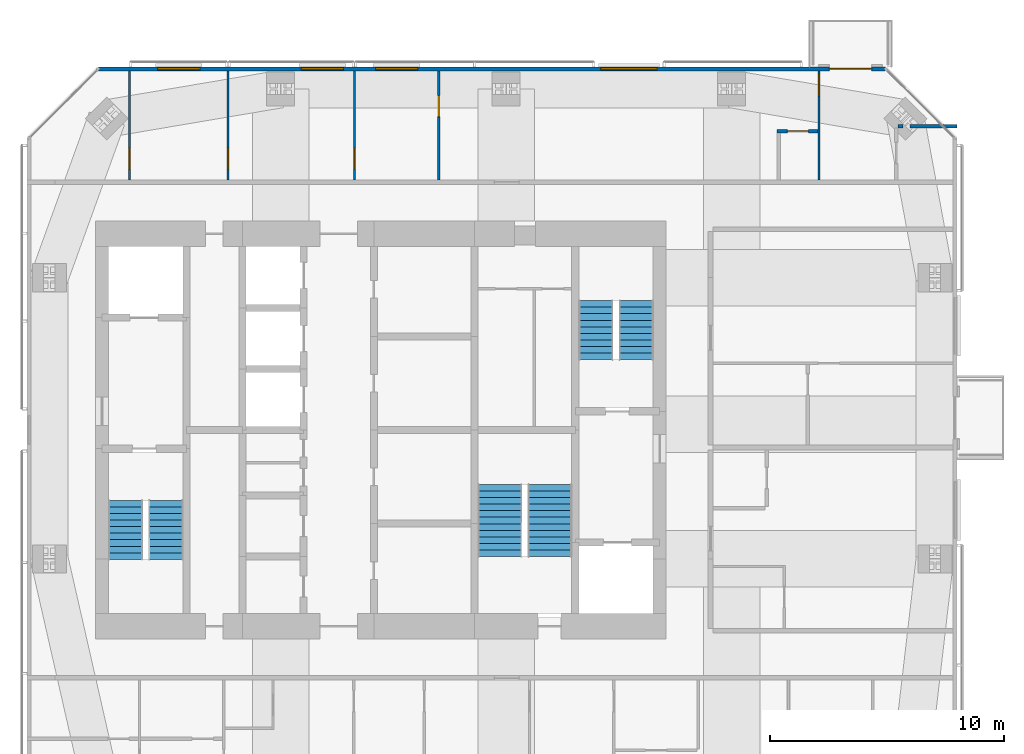
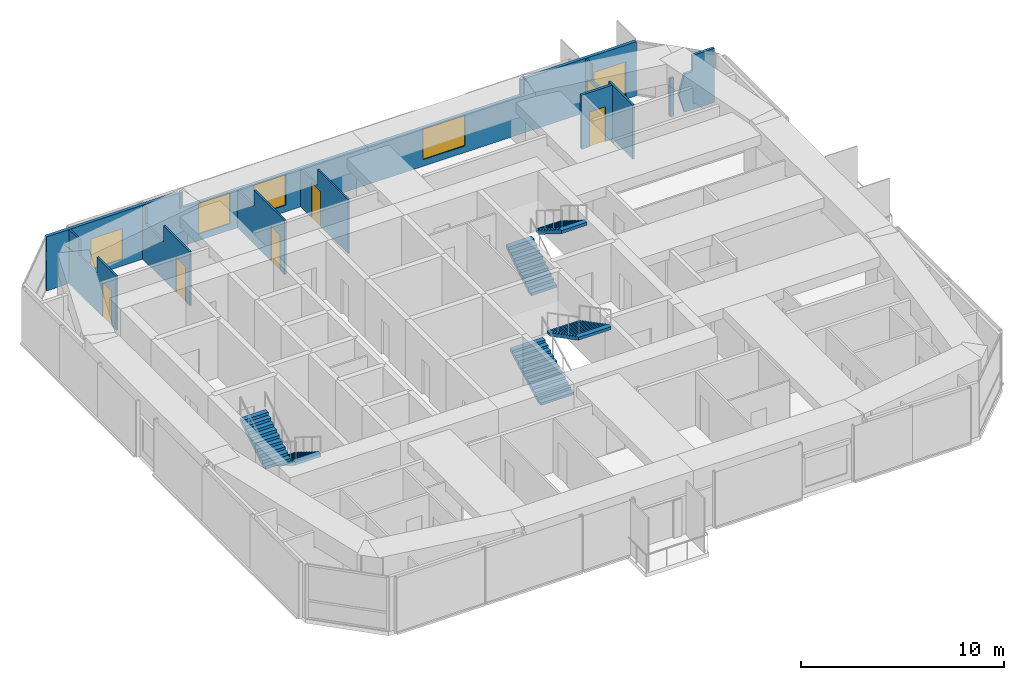
# One storey, part 17 of 18: 9 walls, 7 doors, 6 stair flights, 4 windows, 11 openings, 3 elements without a shape of their own.
"""IFC4 building model written with IfcOpenShell, lengths in metres."""

import ifcopenshell
import ifcopenshell.guid

model = None  # the IFC model being written
_history = None  # IfcOwnerHistory: only IFC2X3 demands one
_inside = {}  # id of a spatial element -> (the spatial element, [elements in it])
_under = {}  # id of a project, library or spatial element -> (it, [spatial elements below it])
_declared = {}  # id of a project -> (the project, [libraries it declares])
_typed = {}  # id of a type object -> (the type object, [elements of that type])
_made_of = {}  # id of a material, layer set ... -> (it, [elements and type objects made of it])


def new_model(schema):
    """Start an empty IFC model of exactly this schema.

    Asked for "IFC4X3", IfcOpenShell would pick the latest addendum, in which some entities
    have other attributes; the version numbers below select the first issue.
    IFC2X3 requires an IfcOwnerHistory on every rooted entity: one is made here for all.
    """
    global model, _history
    if schema == "IFC4X3":
        model = ifcopenshell.file(schema_version=(4, 3, 0, 0))
    else:
        model = ifcopenshell.file(schema=schema)
    _inside.clear()
    _under.clear()
    _declared.clear()
    _typed.clear()
    _made_of.clear()
    _history = None
    if model.schema == "IFC2X3":
        org = make("IfcOrganization", Name="unknown")
        user = make(
            "IfcPersonAndOrganization",
            ThePerson=make("IfcPerson", FamilyName="unknown"),
            TheOrganization=org,
        )
        app = make(
            "IfcApplication",
            ApplicationDeveloper=org,
            Version="unknown",
            ApplicationFullName="unknown",
            ApplicationIdentifier="unknown",
        )
        _history = make(
            "IfcOwnerHistory",
            OwningUser=user,
            OwningApplication=app,
            ChangeAction="ADDED",
            CreationDate=0,
        )
    return model


def make(cls, **values):
    """One entity of the class cls with the attributes given. An attribute that is None is left unset."""
    return model.create_entity(
        cls, **{name: value for name, value in values.items() if value is not None}
    )


def rooted(cls, **values):
    """An entity with a GlobalId (a new one), such as an element, a storey or a relation."""
    return make(cls, GlobalId=ifcopenshell.guid.new(), OwnerHistory=_history, **values)


def si_unit(unit_type, name, prefix=None):
    """IfcSIUnit, for example si_unit("LENGTHUNIT", "METRE", prefix="MILLI")."""
    return make("IfcSIUnit", UnitType=unit_type, Prefix=prefix, Name=name)


def assignment(units):
    """IfcUnitAssignment: the units of a project."""
    return None if units is None else make("IfcUnitAssignment", Units=units)


def point(xyz):
    """IfcCartesianPoint."""
    return None if xyz is None else make("IfcCartesianPoint", Coordinates=xyz)


def direction(xyz):
    """IfcDirection."""
    return None if xyz is None else make("IfcDirection", DirectionRatios=xyz)


def frame(location, z_axis=None, x_axis=None):
    """IfcAxis2Placement3D, a coordinate frame: its origin and axes. An axis left out is left unset."""
    return make(
        "IfcAxis2Placement3D",
        Location=point(location),
        Axis=direction(z_axis),
        RefDirection=direction(x_axis),
    )


def frame_2d(location, x_axis=None):
    """IfcAxis2Placement2D, a coordinate frame in the plane: its origin and x axis."""
    return make(
        "IfcAxis2Placement2D", Location=point(location), RefDirection=direction(x_axis)
    )


def origin():
    """The frame at (0, 0, 0) with its axes left unset."""
    return frame((0.0, 0.0, 0.0))


def place(relative_to, where):
    """IfcLocalPlacement: puts the frame where relative to a parent placement (None: the world)."""
    return make(
        "IfcLocalPlacement", PlacementRelTo=relative_to, RelativePlacement=where
    )


def context(
    kind, dimensions, precision=None, world=None, true_north=None, identifier=None
):
    """IfcGeometricRepresentationContext, for example the 3D "Model" context."""
    return make(
        "IfcGeometricRepresentationContext",
        ContextIdentifier=identifier,
        ContextType=kind,
        CoordinateSpaceDimension=dimensions,
        Precision=precision,
        WorldCoordinateSystem=world,
        TrueNorth=true_north,
    )


def subcontext(parent, identifier, kind, view, scale=None):
    """IfcGeometricRepresentationSubContext, for example "Body" below "Model"."""
    return make(
        "IfcGeometricRepresentationSubContext",
        ContextIdentifier=identifier,
        ContextType=kind,
        ParentContext=parent,
        TargetScale=scale,
        TargetView=view,
    )


def project(units=None, contexts=None):
    """IfcProject with its units and contexts."""
    return rooted(
        "IfcProject",
        Name="project",
        RepresentationContexts=contexts,
        UnitsInContext=assignment(units),
    )


def spatial(cls, under=None, at=None, **own):
    """A site, building, storey or space (cls), placed at a placement, below another one or the project."""
    s = rooted(cls, ObjectPlacement=at, **own)
    if under is not None:
        _under.setdefault(under.id(), (under, []))[1].append(s)
    return s


def polyline(points):
    """IfcPolyline through the points."""
    return make("IfcPolyline", Points=[point(p) for p in points])


def profile(cls, at=None, kind="AREA", **sizes):
    """A parametric profile (cls). Its sizes go by their IFC names, for example OverallWidth=200.0."""
    return make(cls, ProfileType=kind, Position=at, **sizes)


def rectangle(**sizes):
    """IfcRectangleProfileDef."""
    return profile("IfcRectangleProfileDef", **sizes)


def outline(outer, holes=None, kind="AREA"):
    """IfcArbitraryClosedProfileDef: a profile drawn as a closed curve; with holes, ...WithVoids."""
    if holes is None:
        return make("IfcArbitraryClosedProfileDef", ProfileType=kind, OuterCurve=outer)
    return make(
        "IfcArbitraryProfileDefWithVoids",
        ProfileType=kind,
        OuterCurve=outer,
        InnerCurves=holes,
    )


def extrude(swept, where, along, depth):
    """IfcExtrudedAreaSolid: the profile swept, set in the frame where, extruded along a direction by depth."""
    return make(
        "IfcExtrudedAreaSolid",
        SweptArea=swept,
        Position=where,
        ExtrudedDirection=direction(along),
        Depth=depth,
    )


def shape(context_of_items, identifier, shape_type, items):
    """IfcShapeRepresentation: the items that make up one representation, for example the "Body"."""
    return make(
        "IfcShapeRepresentation",
        ContextOfItems=context_of_items,
        RepresentationIdentifier=identifier,
        RepresentationType=shape_type,
        Items=items,
    )


def material(Name=None, Category=None):
    """IfcMaterial."""
    return make("IfcMaterial", Name=Name, Category=Category)


def constituent(of_material, Name=None, Category=None, fraction=None):
    """IfcMaterialConstituent: one of the materials an element consists of."""
    return make(
        "IfcMaterialConstituent",
        Name=Name,
        Material=of_material,
        Fraction=fraction,
        Category=Category,
    )


def constituent_set(constituents=None, Name=None):
    """IfcMaterialConstituentSet."""
    return make(
        "IfcMaterialConstituentSet", Name=Name, MaterialConstituents=constituents
    )


def made_of(thing, what):
    """Note that an element or type object is made of a material, layer set ...; save() writes the relation."""
    if what is not None:
        _made_of.setdefault(what.id(), (what, []))[1].append(thing)
    return thing


def type_object(cls, material=None, **own):
    """A type object (cls), such as IfcWallType, which elements share."""
    return made_of(rooted(cls, **own), material)


def element(
    cls,
    number,
    at=None,
    inside=None,
    cuts=None,
    type_object=None,
    material=None,
    context=None,
    identifier="Body",
    shape_type=None,
    held_by="IfcProductDefinitionShape",
    body=None,
    shapes=None,
    **own,
):
    """One element of the class cls, such as IfcWall. Its Tag is "e" and its number.

    at: its placement. inside: the storey or other place that contains it. cuts: it is an
    opening in that element (IfcRelVoidsElement). A single representation is given by context,
    identifier, shape_type and body (its items); several are given by shapes. held_by: the class
    of the entity that holds the representations. save() writes the other relations.
    """
    e = rooted(cls, Tag="e%d" % number, ObjectPlacement=at, **own)
    if body is not None:
        shapes = [shape(context, identifier, shape_type, body)]
    if shapes is not None:
        e.Representation = make(held_by, Representations=shapes)
    if inside is not None:
        _inside.setdefault(inside.id(), (inside, []))[1].append(e)
    if cuts is not None:
        rooted(
            "IfcRelVoidsElement", RelatingBuildingElement=cuts, RelatedOpeningElement=e
        )
    if type_object is not None:
        _typed.setdefault(type_object.id(), (type_object, []))[1].append(e)
    return made_of(e, material)


def fill(opening, filler):
    """IfcRelFillsElement: the door or window that sits in an opening."""
    return rooted(
        "IfcRelFillsElement",
        RelatingOpeningElement=opening,
        RelatedBuildingElement=filler,
    )


def aggregate(whole, parts):
    """IfcRelAggregates: a whole, such as a stair, and the parts it consists of."""
    return rooted("IfcRelAggregates", RelatingObject=whole, RelatedObjects=parts)


def save(model, path):
    """Write the relations noted so far, then the file.

    IfcRelAggregates (storeys below a building ...), IfcRelContainedInSpatialStructure (elements
    in a storey), IfcRelDefinesByType, IfcRelAssociatesMaterial and IfcRelDeclares: one each for
    every whole, place, type object, material and project.
    """
    for whole, parts in _under.values():
        aggregate(whole, parts)
    for where, things in _inside.values():
        rooted(
            "IfcRelContainedInSpatialStructure",
            RelatedElements=things,
            RelatingStructure=where,
        )
    for kind, things in _typed.values():
        rooted("IfcRelDefinesByType", RelatedObjects=things, RelatingType=kind)
    for what, things in _made_of.values():
        rooted("IfcRelAssociatesMaterial", RelatedObjects=things, RelatingMaterial=what)
    for by, libraries in _declared.values():
        rooted("IfcRelDeclares", RelatingContext=by, RelatedDefinitions=libraries)
    model.write(path)


model = new_model("IFC4")

# Units and contexts
model_context = context("Model", 3, precision=1e-05, world=origin(), true_north=direction((0.0, 1.0)))
body_context = subcontext(model_context, "Body", "Model", "MODEL_VIEW")
ifc_project = project(units=[si_unit("LENGTHUNIT", "METRE"), si_unit("AREAUNIT", "SQUARE_METRE"), si_unit("VOLUMEUNIT", "CUBIC_METRE"), si_unit("PLANEANGLEUNIT", "RADIAN"), si_unit("MASSUNIT", "GRAM", prefix="KILO")], contexts=[model_context])

# Site, building, storey
site_placement = place(None, origin())
site = spatial("IfcSite", under=ifc_project, at=site_placement, CompositionType="ELEMENT")
building_placement = place(site_placement, origin())
building = spatial("IfcBuilding", under=site, at=building_placement, Name="Jalousie Tower", CompositionType="ELEMENT")
storey_placement = place(building_placement, frame((0.0, 0.0, 249.449951171875)))
storey = spatial("IfcBuildingStorey", under=building, at=storey_placement, Name="L68", CompositionType="ELEMENT", Elevation=249.449951171875)

# Walls
ifc_material_1 = material(Name="Concrete block ASTM C90", Category="concrete")
ifc_constituent_1 = constituent(ifc_material_1, Name="Body")
ifc_material_2 = material(Name="Render")
ifc_constituent_2 = constituent(ifc_material_2, Name="Finish")
ifc_constituent_set_1 = constituent_set(constituents=[ifc_constituent_1, ifc_constituent_2])
wall_type_1 = type_object("IfcWallType", Name="BATHROOM WALL 150", PredefinedType="PLUMBINGWALL", material=ifc_constituent_set_1)
wall_1_placement = place(storey_placement, frame((53.97509765625, 31.47509765625, 0.0), z_axis=(0.0, 0.0, 1.0), x_axis=(1.0, 0.0, 0.0)))
element("IfcWall", 1, at=wall_1_placement, inside=storey, type_object=wall_type_1, Name="Bathroom Wall 150 L68-A", PredefinedType="PLUMBINGWALL", context=body_context, shape_type="SweptSolid", body=[
    extrude(rectangle(XDim=0.216796875, YDim=0.14990234375, at=frame_2d((0.1083984375, 0.0))), origin(), (0.0, 0.0, 1.0), 2.300048828125),
])
wall_2_placement = place(storey_placement, frame((54.47802734375, 31.47509765625, 0.0), z_axis=(0.0, 0.0, 1.0), x_axis=(1.0, 0.0, 0.0)))
element("IfcWall", 2, at=wall_2_placement, inside=storey, type_object=wall_type_1, Name="Bathroom Wall 150 L68-B", PredefinedType="PLUMBINGWALL", context=body_context, shape_type="SweptSolid", body=[
    extrude(outline(polyline([(0.773681640625, 3.260009765625), (0.773681640625, 2.300048828125), (0.3251953125, 2.300048828125), (0.0, 1.150146484375), (0.3251953125, 0.0), (2.02197265625, 0.0), (2.02197265625, 3.260009765625), (0.773681640625, 3.260009765625)])), frame((0.0, 0.074951171875, 0.0), z_axis=(0.0, -1.0, 0.0), x_axis=(1.0, 0.0, 0.0)), (0.0, 0.0, 1.0), 0.14990234375),
])

# Wall, opening, door
wall_3_placement = place(storey_placement, frame((50.552490234375, 31.25, 0.0), z_axis=(0.0, 0.0, 1.0), x_axis=(-1.0, 0.0, 0.0)))
wall_3 = element("IfcWall", 3, at=wall_3_placement, inside=storey, type_object=wall_type_1, Name="Bathroom Wall 150 L68", PredefinedType="PLUMBINGWALL", context=body_context, shape_type="SweptSolid", body=[
    extrude(rectangle(XDim=1.75, YDim=0.14990234375, at=frame_2d((0.875, 0.0))), origin(), (0.0, 0.0, 1.0), 3.260009765625),
])
opening_1_placement = place(wall_3_placement, frame((0.39990234375, 0.0, 0.0)))
opening_1 = element("IfcOpeningElement", 4, at=opening_1_placement, cuts=wall_3, Name="Opening D7", PredefinedType="OPENING", context=body_context, shape_type="SweptSolid", body=[
    extrude(rectangle(XDim=0.89990234375, YDim=2.10009765625, at=frame_2d((0.449951171875, 1.050048828125))), frame((0.0, 0.0849609375, 0.0), z_axis=(0.0, -1.0, 0.0), x_axis=(1.0, 0.0, 0.0)), (0.0, 0.0, 1.0), 0.169921875),
])
ifc_material_3 = material(Name="Timber door", Category="wood")
door_type_1 = type_object("IfcDoorType", Name="INTERNAL DOOR 900", OperationType="SINGLE_SWING_LEFT", PredefinedType="DOOR", material=ifc_material_3)
door_1_placement = place(opening_1_placement, origin())
door_1 = element("IfcDoor", 5, at=door_1_placement, inside=storey, type_object=door_type_1, Name="Apartment 6802 guest WC door", OperationType="SINGLE_SWING_RIGHT", OverallHeight=2.10009765625, OverallWidth=0.89990234375, PredefinedType="DOOR", context=body_context, shape_type="SweptSolid", body=[
    extrude(rectangle(XDim=0.89990234375, YDim=2.10009765625, at=frame_2d((0.449951171875, 1.050048828125))), frame((0.0, 0.02490234375, 0.0), z_axis=(0.0, -1.0, 0.0), x_axis=(1.0, 0.0, 0.0)), (0.0, 0.0, 1.0), 0.050048828125),
])
fill(opening_1, door_1)

# Wall, openings, door, windows
ifc_material_4 = material(Name="Concrete f'c 40 MPa", Category="concrete")
ifc_constituent_3 = constituent(ifc_material_4, Name="Body")
ifc_material_5 = material(Name="Render, pastel sky blue")
ifc_constituent_4 = constituent(ifc_material_5, Name="Finish")
ifc_constituent_set_2 = constituent_set(constituents=[ifc_constituent_3, ifc_constituent_4])
wall_type_2 = type_object("IfcWallType", Name="EXTERNAL WALL 175 SKY BLUE RENDER", PredefinedType="SOLIDWALL", material=ifc_constituent_set_2)
wall_4_placement = place(storey_placement, frame((53.44873046875, 33.91259765625, 0.0), z_axis=(0.0, 0.0, 1.0), x_axis=(-1.0, 0.0, 0.0)))
wall_4 = element("IfcWall", 6, at=wall_4_placement, inside=storey, type_object=wall_type_2, Name="External Wall 175 Sky Blue Render L68", PredefinedType="SOLIDWALL", context=body_context, shape_type="SweptSolid", body=[
    extrude(outline(polyline([(0.0, 0.0), (33.597412109375, 0.0), (33.597412109375, 3.260009765625), (26.03857421875, 3.260009765625), (26.03857421875, 2.300048828125), (25.955078125, 2.300048828125), (25.955078125, 3.260009765625), (25.82373046875, 3.260009765625), (25.82373046875, 2.300048828125), (6.57373046875, 2.300048828125), (6.57373046875, 3.260009765625), (6.4423828125, 3.260009765625), (6.4423828125, 2.300048828125), (6.35888671875, 2.300048828125), (6.35888671875, 3.260009765625), (0.0, 3.260009765625), (0.0, 0.0)])), frame((0.0, 0.08740234375, 0.0), z_axis=(0.0, -1.0, 0.0), x_axis=(1.0, 0.0, 0.0)), (0.0, 0.0, 1.0), 0.175048828125),
])
opening_2_placement = place(wall_4_placement, frame((0.60009765625, 0.0, 0.0)))
opening_2 = element("IfcOpeningElement", 7, at=opening_2_placement, cuts=wall_4, Name="Opening D-BAL22", PredefinedType="OPENING", context=body_context, shape_type="SweptSolid", body=[
    extrude(rectangle(XDim=1.800048828125, YDim=2.25, at=frame_2d((0.89990234375, 1.125))), frame((0.0, 0.097412109375, 0.0), z_axis=(0.0, -1.0, 0.0), x_axis=(1.0, 0.0, 0.0)), (0.0, 0.0, 1.0), 0.195068359375),
])
opening_3_placement = place(wall_4_placement, frame((9.760009765625, 0.0, 0.39990234375)))
opening_3 = element("IfcOpeningElement", 8, at=opening_3_placement, cuts=wall_4, Name="Opening W-LIV185", PredefinedType="OPENING", context=body_context, shape_type="SweptSolid", body=[
    extrude(rectangle(XDim=2.39990234375, YDim=1.85009765625, at=frame_2d((1.199951171875, 0.925048828125))), frame((0.0, 0.097412109375, 0.0), z_axis=(0.0, -1.0, 0.0), x_axis=(1.0, 0.0, 0.0)), (0.0, 0.0, 1.0), 0.195068359375),
])
opening_4_placement = place(wall_4_placement, frame((19.9736328125, 0.0, 0.39990234375)))
opening_4 = element("IfcOpeningElement", 9, at=opening_4_placement, cuts=wall_4, Name="Opening W-BED185", PredefinedType="OPENING", context=body_context, shape_type="SweptSolid", body=[
    extrude(rectangle(XDim=1.800048828125, YDim=1.85009765625, at=frame_2d((0.89990234375, 0.925048828125))), frame((0.0, 0.097412109375, 0.0), z_axis=(0.0, -1.0, 0.0), x_axis=(1.0, 0.0, 0.0)), (0.0, 0.0, 1.0), 0.195068359375),
])
opening_5_placement = place(wall_4_placement, frame((23.143798828125, 0.0, 0.39990234375)))
opening_5 = element("IfcOpeningElement", 10, at=opening_5_placement, cuts=wall_4, Name="Opening W-BED185", PredefinedType="OPENING", context=body_context, shape_type="SweptSolid", body=[
    extrude(rectangle(XDim=1.800048828125, YDim=1.85009765625, at=frame_2d((0.89990234375, 0.925048828125))), frame((0.0, 0.097412109375, 0.0), z_axis=(0.0, -1.0, 0.0), x_axis=(1.0, 0.0, 0.0)), (0.0, 0.0, 1.0), 0.195068359375),
])
opening_6_placement = place(wall_4_placement, frame((29.273193359375, 0.0, 0.39990234375)))
opening_6 = element("IfcOpeningElement", 11, at=opening_6_placement, cuts=wall_4, Name="Opening W-BED185", PredefinedType="OPENING", context=body_context, shape_type="SweptSolid", body=[
    extrude(rectangle(XDim=1.800048828125, YDim=1.85009765625, at=frame_2d((0.89990234375, 0.925048828125))), frame((0.0, 0.097412109375, 0.0), z_axis=(0.0, -1.0, 0.0), x_axis=(1.0, 0.0, 0.0)), (0.0, 0.0, 1.0), 0.195068359375),
])
ifc_material_6 = material(Name="Aluminium frame, impact-rated glazing", Category="aluminium")
door_type_2 = type_object("IfcDoorType", Name="BALCONY DOOR 1800x2250", OperationType="SLIDING_TO_LEFT", PredefinedType="DOOR", material=ifc_material_6)
door_2_placement = place(opening_2_placement, origin())
door_2 = element("IfcDoor", 12, at=door_2_placement, inside=storey, type_object=door_type_2, Name="Apartment 6802 bedroom 5 balcony door", OperationType="SLIDING_TO_LEFT", OverallHeight=2.25, OverallWidth=1.800048828125, PredefinedType="DOOR", context=body_context, shape_type="SweptSolid", body=[
    extrude(rectangle(XDim=1.800048828125, YDim=2.25, at=frame_2d((0.89990234375, 1.125))), frame((0.0, 0.02490234375, 0.0), z_axis=(0.0, -1.0, 0.0), x_axis=(1.0, 0.0, 0.0)), (0.0, 0.0, 1.0), 0.050048828125),
])
fill(opening_2, door_2)
ifc_material_7 = material(Name="Aluminium frame, impact-rated glazing", Category="aluminium")
window_type_1 = type_object("IfcWindowType", Name="WINDOW BED 1800x1850", PartitioningType="SINGLE_PANEL", PredefinedType="WINDOW", material=ifc_material_7)
window_1_placement = place(opening_4_placement, origin())
window_1 = element("IfcWindow", 13, at=window_1_placement, inside=storey, type_object=window_type_1, Name="Apartment 6802 bedroom 4 window", OverallHeight=1.85009765625, OverallWidth=1.800048828125, PartitioningType="SINGLE_PANEL", PredefinedType="WINDOW", context=body_context, shape_type="SweptSolid", body=[
    extrude(rectangle(XDim=1.800048828125, YDim=1.85009765625, at=frame_2d((0.89990234375, 0.925048828125))), frame((0.0, 0.030029296875, 0.0), z_axis=(0.0, -1.0, 0.0), x_axis=(1.0, 0.0, 0.0)), (0.0, 0.0, 1.0), 0.06005859375),
])
fill(opening_4, window_1)
window_2_placement = place(opening_5_placement, origin())
window_2 = element("IfcWindow", 14, at=window_2_placement, inside=storey, type_object=window_type_1, Name="Apartment 6802 bedroom 3 window", OverallHeight=1.85009765625, OverallWidth=1.800048828125, PartitioningType="SINGLE_PANEL", PredefinedType="WINDOW", context=body_context, shape_type="SweptSolid", body=[
    extrude(rectangle(XDim=1.800048828125, YDim=1.85009765625, at=frame_2d((0.89990234375, 0.925048828125))), frame((0.0, 0.030029296875, 0.0), z_axis=(0.0, -1.0, 0.0), x_axis=(1.0, 0.0, 0.0)), (0.0, 0.0, 1.0), 0.06005859375),
])
fill(opening_5, window_2)
window_3_placement = place(opening_6_placement, origin())
window_3 = element("IfcWindow", 15, at=window_3_placement, inside=storey, type_object=window_type_1, Name="Apartment 6802 bedroom 2 window", OverallHeight=1.85009765625, OverallWidth=1.800048828125, PartitioningType="SINGLE_PANEL", PredefinedType="WINDOW", context=body_context, shape_type="SweptSolid", body=[
    extrude(rectangle(XDim=1.800048828125, YDim=1.85009765625, at=frame_2d((0.89990234375, 0.925048828125))), frame((0.0, 0.030029296875, 0.0), z_axis=(0.0, -1.0, 0.0), x_axis=(1.0, 0.0, 0.0)), (0.0, 0.0, 1.0), 0.06005859375),
])
fill(opening_6, window_3)
ifc_material_8 = material(Name="Aluminium frame, impact-rated glazing", Category="aluminium")
window_type_2 = type_object("IfcWindowType", Name="WINDOW LIV 2400x1850", PartitioningType="DOUBLE_PANEL_VERTICAL", PredefinedType="WINDOW", material=ifc_material_8)
window_4_placement = place(opening_3_placement, origin())
window_4 = element("IfcWindow", 16, at=window_4_placement, inside=storey, type_object=window_type_2, Name="Apartment 6802 living, dining and kitchen window", OverallHeight=1.85009765625, OverallWidth=2.39990234375, PartitioningType="SINGLE_PANEL", PredefinedType="WINDOW", context=body_context, shape_type="SweptSolid", body=[
    extrude(rectangle(XDim=2.39990234375, YDim=1.85009765625, at=frame_2d((1.199951171875, 0.925048828125))), frame((0.0, 0.030029296875, 0.0), z_axis=(0.0, -1.0, 0.0), x_axis=(1.0, 0.0, 0.0)), (0.0, 0.0, 1.0), 0.06005859375),
])
fill(opening_3, window_4)

# Wall, opening, door
ifc_material_9 = material(Name="Gypsum board", Category="gypsum")
ifc_constituent_5 = constituent(ifc_material_9, Name="Body")
ifc_material_10 = material(Name="Light-gauge steel studs ASTM A653 SS Grade 33", Category="steel")
ifc_constituent_6 = constituent(ifc_material_10, Name="Framing")
ifc_constituent_set_3 = constituent_set(constituents=[ifc_constituent_5, ifc_constituent_6])
wall_type_3 = type_object("IfcWallType", Name="PARTITION 100", PredefinedType="PARTITIONING", material=ifc_constituent_set_3)
wall_5_placement = place(storey_placement, frame((21.17626953125, 33.824951171875, 0.0), z_axis=(0.0, 0.0, 1.0), x_axis=(0.0, -1.0, 0.0)))
wall_5 = element("IfcWall", 17, at=wall_5_placement, inside=storey, type_object=wall_type_3, Name="Partition 100 L68", PredefinedType="PARTITIONING", context=body_context, shape_type="SweptSolid", body=[
    extrude(outline(polyline([(0.0, 0.0), (4.64990234375, 0.0), (4.64990234375, 3.260009765625), (2.739990234375, 3.260009765625), (2.739990234375, 2.300048828125), (0.99560546875, 2.300048828125), (0.99560546875, 3.260009765625), (0.0, 3.260009765625), (0.0, 0.0)])), frame((0.0, 0.050048828125, 0.0), z_axis=(0.0, -1.0, 0.0), x_axis=(1.0, 0.0, 0.0)), (0.0, 0.0, 1.0), 0.10009765625),
])
opening_7_placement = place(wall_5_placement, frame((3.300048828125, 0.0, 0.0)))
opening_7 = element("IfcOpeningElement", 18, at=opening_7_placement, cuts=wall_5, Name="Opening D2", PredefinedType="OPENING", context=body_context, shape_type="SweptSolid", body=[
    extrude(rectangle(XDim=0.89990234375, YDim=2.10009765625, at=frame_2d((0.449951171875, 1.050048828125))), frame((0.0, 0.06005859375, 0.0), z_axis=(0.0, -1.0, 0.0), x_axis=(1.0, 0.0, 0.0)), (0.0, 0.0, 1.0), 0.1201171875),
])
ifc_material_11 = material(Name="Timber door", Category="wood")
door_type_3 = type_object("IfcDoorType", Name="BEDROOM DOOR 900", OperationType="SINGLE_SWING_LEFT", PredefinedType="DOOR", material=ifc_material_11)
door_3_placement = place(opening_7_placement, frame((0.89990234375, 0.0, 0.0), z_axis=(0.0, 0.0, 1.0), x_axis=(-1.0, 0.0, 0.0)))
door_3 = element("IfcDoor", 19, at=door_3_placement, inside=storey, type_object=door_type_3, Name="Apartment 6802 bedroom 1 door", OperationType="SINGLE_SWING_LEFT", OverallHeight=2.10009765625, OverallWidth=0.89990234375, PredefinedType="DOOR", context=body_context, shape_type="SweptSolid", body=[
    extrude(rectangle(XDim=0.89990234375, YDim=2.10009765625, at=frame_2d((0.449951171875, 1.050048828125))), frame((0.0, 0.02490234375, 0.0), z_axis=(0.0, -1.0, 0.0), x_axis=(1.0, 0.0, 0.0)), (0.0, 0.0, 1.0), 0.050048828125),
])
fill(opening_7, door_3)

wall_6_placement = place(storey_placement, frame((25.375, 33.824951171875, 0.0), z_axis=(0.0, 0.0, 1.0), x_axis=(0.0, -1.0, 0.0)))
wall_6 = element("IfcWall", 20, at=wall_6_placement, inside=storey, type_object=wall_type_3, Name="Partition 100 L68", PredefinedType="PARTITIONING", context=body_context, shape_type="SweptSolid", body=[
    extrude(outline(polyline([(0.0, 0.0), (4.64990234375, 0.0), (4.64990234375, 3.260009765625), (2.028564453125, 3.260009765625), (2.028564453125, 2.300048828125), (0.283935546875, 2.300048828125), (0.283935546875, 3.260009765625), (0.0, 3.260009765625), (0.0, 0.0)])), frame((0.0, 0.050048828125, 0.0), z_axis=(0.0, -1.0, 0.0), x_axis=(1.0, 0.0, 0.0)), (0.0, 0.0, 1.0), 0.10009765625),
])
opening_8_placement = place(wall_6_placement, frame((3.300048828125, 0.0, 0.0)))
opening_8 = element("IfcOpeningElement", 21, at=opening_8_placement, cuts=wall_6, Name="Opening D2", PredefinedType="OPENING", context=body_context, shape_type="SweptSolid", body=[
    extrude(rectangle(XDim=0.89990234375, YDim=2.10009765625, at=frame_2d((0.449951171875, 1.050048828125))), frame((0.0, 0.06005859375, 0.0), z_axis=(0.0, -1.0, 0.0), x_axis=(1.0, 0.0, 0.0)), (0.0, 0.0, 1.0), 0.1201171875),
])
door_4_placement = place(opening_8_placement, origin())
door_4 = element("IfcDoor", 22, at=door_4_placement, inside=storey, type_object=door_type_3, Name="Apartment 6802 bedroom 2 door", OperationType="SINGLE_SWING_RIGHT", OverallHeight=2.10009765625, OverallWidth=0.89990234375, PredefinedType="DOOR", context=body_context, shape_type="SweptSolid", body=[
    extrude(rectangle(XDim=0.89990234375, YDim=2.10009765625, at=frame_2d((0.449951171875, 1.050048828125))), frame((0.0, 0.02490234375, 0.0), z_axis=(0.0, -1.0, 0.0), x_axis=(1.0, 0.0, 0.0)), (0.0, 0.0, 1.0), 0.050048828125),
])
fill(opening_8, door_4)

wall_7_placement = place(storey_placement, frame((30.77490234375, 33.824951171875, 0.0), z_axis=(0.0, 0.0, 1.0), x_axis=(0.0, -1.0, 0.0)))
wall_7 = element("IfcWall", 23, at=wall_7_placement, inside=storey, type_object=wall_type_3, Name="Partition 100 L68", PredefinedType="PARTITIONING", context=body_context, shape_type="SweptSolid", body=[
    extrude(outline(polyline([(0.0, 0.0), (4.64990234375, 0.0), (4.64990234375, 3.260009765625), (1.635009765625, 3.260009765625), (1.635009765625, 2.300048828125), (0.0, 2.300048828125), (0.0, 3.260009765625), (0.0, 0.0)])), frame((0.0, 0.050048828125, 0.0), z_axis=(0.0, -1.0, 0.0), x_axis=(1.0, 0.0, 0.0)), (0.0, 0.0, 1.0), 0.10009765625),
])
opening_9_placement = place(wall_7_placement, frame((3.300048828125, 0.0, 0.0)))
opening_9 = element("IfcOpeningElement", 24, at=opening_9_placement, cuts=wall_7, Name="Opening D2", PredefinedType="OPENING", context=body_context, shape_type="SweptSolid", body=[
    extrude(rectangle(XDim=0.89990234375, YDim=2.10009765625, at=frame_2d((0.449951171875, 1.050048828125))), frame((0.0, 0.06005859375, 0.0), z_axis=(0.0, -1.0, 0.0), x_axis=(1.0, 0.0, 0.0)), (0.0, 0.0, 1.0), 0.1201171875),
])
door_5_placement = place(opening_9_placement, frame((0.89990234375, 0.0, 0.0), z_axis=(0.0, 0.0, 1.0), x_axis=(-1.0, 0.0, 0.0)))
door_5 = element("IfcDoor", 25, at=door_5_placement, inside=storey, type_object=door_type_3, Name="Apartment 6802 bedroom 3 door", OperationType="SINGLE_SWING_LEFT", OverallHeight=2.10009765625, OverallWidth=0.89990234375, PredefinedType="DOOR", context=body_context, shape_type="SweptSolid", body=[
    extrude(rectangle(XDim=0.89990234375, YDim=2.10009765625, at=frame_2d((0.449951171875, 1.050048828125))), frame((0.0, 0.02490234375, 0.0), z_axis=(0.0, -1.0, 0.0), x_axis=(1.0, 0.0, 0.0)), (0.0, 0.0, 1.0), 0.050048828125),
])
fill(opening_9, door_5)

wall_8_placement = place(storey_placement, frame((34.375, 33.824951171875, 0.0), z_axis=(0.0, 0.0, 1.0), x_axis=(0.0, -1.0, 0.0)))
wall_8 = element("IfcWall", 26, at=wall_8_placement, inside=storey, type_object=wall_type_3, Name="Partition 100 L68", PredefinedType="PARTITIONING", context=body_context, shape_type="SweptSolid", body=[
    extrude(outline(polyline([(0.0, 0.0), (4.64990234375, 0.0), (4.64990234375, 3.260009765625), (1.635009765625, 3.260009765625), (1.635009765625, 2.300048828125), (0.0, 2.300048828125), (0.0, 3.260009765625), (0.0, 0.0)])), frame((0.0, 0.050048828125, 0.0), z_axis=(0.0, -1.0, 0.0), x_axis=(1.0, 0.0, 0.0)), (0.0, 0.0, 1.0), 0.10009765625),
])
opening_10_placement = place(wall_8_placement, frame((1.050048828125, 0.0, 0.0)))
opening_10 = element("IfcOpeningElement", 27, at=opening_10_placement, cuts=wall_8, Name="Opening D2", PredefinedType="OPENING", context=body_context, shape_type="SweptSolid", body=[
    extrude(rectangle(XDim=0.89990234375, YDim=2.10009765625, at=frame_2d((0.449951171875, 1.050048828125))), frame((0.0, 0.06005859375, 0.0), z_axis=(0.0, -1.0, 0.0), x_axis=(1.0, 0.0, 0.0)), (0.0, 0.0, 1.0), 0.1201171875),
])
door_6_placement = place(opening_10_placement, frame((0.89990234375, 0.0, 0.0), z_axis=(0.0, 0.0, 1.0), x_axis=(-1.0, 0.0, 0.0)))
door_6 = element("IfcDoor", 28, at=door_6_placement, inside=storey, type_object=door_type_3, Name="Apartment 6802 bedroom 4 door", OperationType="SINGLE_SWING_RIGHT", OverallHeight=2.10009765625, OverallWidth=0.89990234375, PredefinedType="DOOR", context=body_context, shape_type="SweptSolid", body=[
    extrude(rectangle(XDim=0.89990234375, YDim=2.10009765625, at=frame_2d((0.449951171875, 1.050048828125))), frame((0.0, 0.02490234375, 0.0), z_axis=(0.0, -1.0, 0.0), x_axis=(1.0, 0.0, 0.0)), (0.0, 0.0, 1.0), 0.050048828125),
])
fill(opening_10, door_6)

wall_9_placement = place(storey_placement, frame((50.6025390625, 33.824951171875, 0.0), z_axis=(0.0, 0.0, 1.0), x_axis=(0.0, -1.0, 0.0)))
wall_9 = element("IfcWall", 29, at=wall_9_placement, inside=storey, type_object=wall_type_3, Name="Partition 100 L68", PredefinedType="PARTITIONING", context=body_context, shape_type="SweptSolid", body=[
    extrude(outline(polyline([(0.0, 0.0), (4.64990234375, 0.0), (4.64990234375, 3.260009765625), (2.279052734375, 3.260009765625), (2.279052734375, 2.300048828125), (0.534423828125, 2.300048828125), (0.534423828125, 3.260009765625), (0.0, 3.260009765625), (0.0, 0.0)])), frame((0.0, 0.050048828125, 0.0), z_axis=(0.0, -1.0, 0.0), x_axis=(1.0, 0.0, 0.0)), (0.0, 0.0, 1.0), 0.10009765625),
])
opening_11_placement = place(wall_9_placement, frame((0.14990234375, 0.0, 0.0)))
opening_11 = element("IfcOpeningElement", 30, at=opening_11_placement, cuts=wall_9, Name="Opening D2", PredefinedType="OPENING", context=body_context, shape_type="SweptSolid", body=[
    extrude(rectangle(XDim=0.89990234375, YDim=2.10009765625, at=frame_2d((0.449951171875, 1.050048828125))), frame((0.0, 0.06005859375, 0.0), z_axis=(0.0, -1.0, 0.0), x_axis=(1.0, 0.0, 0.0)), (0.0, 0.0, 1.0), 0.1201171875),
])
door_7_placement = place(opening_11_placement, origin())
door_7 = element("IfcDoor", 31, at=door_7_placement, inside=storey, type_object=door_type_3, Name="Apartment 6802 bedroom 5 door", OperationType="SINGLE_SWING_LEFT", OverallHeight=2.10009765625, OverallWidth=0.89990234375, PredefinedType="DOOR", context=body_context, shape_type="SweptSolid", body=[
    extrude(rectangle(XDim=0.89990234375, YDim=2.10009765625, at=frame_2d((0.449951171875, 1.050048828125))), frame((0.0, 0.02490234375, 0.0), z_axis=(0.0, -1.0, 0.0), x_axis=(1.0, 0.0, 0.0)), (0.0, 0.0, 1.0), 0.050048828125),
])
fill(opening_11, door_7)

# Stair, stair flights
ifc_material_12 = material(Name="Concrete f'c 40 MPa", Category="concrete")
stair_type = type_object("IfcStairType", Name="EXIT STAIR", PredefinedType="HALF_TURN_STAIR", material=ifc_material_12)
stair_1_placement = place(storey_placement, origin())
stair_1 = element("IfcStair", 32, at=stair_1_placement, inside=storey, type_object=stair_type, Name="Exit stair A L68", PredefinedType="HALF_TURN_STAIR")
ifc_material_13 = material(Name="Concrete f'c 40 MPa", Category="concrete")
stair_flight_type = type_object("IfcStairFlightType", Name="STAIR FLIGHT", PredefinedType="STRAIGHT", material=ifc_material_13)
stair_flight_1_placement = place(storey_placement, frame((22.71875, 15.49755859375, 0.0), z_axis=(0.0, 0.0, 1.0), x_axis=(0.0, -1.0, 0.0)))
stair_flight_1 = element("IfcStairFlight", 33, at=stair_flight_1_placement, type_object=stair_flight_type, Name="ST-A flight 1", NumberOfRisers=10, NumberOfTreads=9, PredefinedType="STRAIGHT", RiserHeight=0.175, TreadLength=0.28, context=body_context, shape_type="SweptSolid", body=[
    extrude(outline(polyline([(0.0, 0.0), (0.0, 0.175048828125), (0.280029296875, 0.175048828125), (0.280029296875, 0.35009765625), (0.56005859375, 0.35009765625), (0.56005859375, 0.52490234375), (0.840087890625, 0.52490234375), (0.840087890625, 0.699951171875), (1.1201171875, 0.699951171875), (1.1201171875, 0.875), (1.39990234375, 0.875), (1.39990234375, 1.050048828125), (1.679931640625, 1.050048828125), (1.679931640625, 1.22509765625), (1.9599609375, 1.22509765625), (1.9599609375, 1.39990234375), (2.239990234375, 1.39990234375), (2.239990234375, 1.574951171875), (2.52001953125, 1.574951171875), (2.52001953125, 1.75), (2.52001953125, 1.398193359375), (0.28271484375, 0.0), (0.0, 0.0)])), frame((0.0, 0.731201171875, 0.0), z_axis=(0.0, -1.0, 0.0), x_axis=(1.0, 0.0, 0.0)), (0.0, 0.0, 1.0), 1.46240234375),
])
stair_flight_2_placement = place(storey_placement, frame((21.00634765625, 12.9775390625, 1.75), z_axis=(0.0, 0.0, 1.0), x_axis=(0.0, 1.0, 0.0)))
stair_flight_2 = element("IfcStairFlight", 34, at=stair_flight_2_placement, type_object=stair_flight_type, Name="ST-A flight 2", NumberOfRisers=10, NumberOfTreads=9, PredefinedType="STRAIGHT", RiserHeight=0.175, TreadLength=0.28, context=body_context, shape_type="SweptSolid", body=[
    extrude(outline(polyline([(0.0, 0.0), (0.0, 0.175048828125), (0.280029296875, 0.175048828125), (0.280029296875, 0.35009765625), (0.56005859375, 0.35009765625), (0.56005859375, 0.52490234375), (0.840087890625, 0.52490234375), (0.840087890625, 0.699951171875), (1.1201171875, 0.699951171875), (1.1201171875, 0.875), (1.39990234375, 0.875), (1.39990234375, 1.050048828125), (1.679931640625, 1.050048828125), (1.679931640625, 1.22509765625), (1.9599609375, 1.22509765625), (1.9599609375, 1.39990234375), (2.239990234375, 1.39990234375), (2.239990234375, 1.574951171875), (2.52001953125, 1.574951171875), (2.52001953125, 1.75), (2.52001953125, 1.398193359375), (0.28271484375, 0.0), (0.0, 0.0)])), frame((0.0, 0.731201171875, 0.0), z_axis=(0.0, -1.0, 0.0), x_axis=(1.0, 0.0, 0.0)), (0.0, 0.0, 1.0), 1.46240234375),
])
aggregate(stair_1, [stair_flight_1, stair_flight_2])

stair_2_placement = place(storey_placement, origin())
stair_2 = element("IfcStair", 35, at=stair_2_placement, inside=storey, type_object=stair_type, Name="Exit stair B L68", PredefinedType="HALF_TURN_STAIR")
stair_flight_3_placement = place(storey_placement, frame((41.081298828125, 21.50244140625, 0.0), z_axis=(0.0, 0.0, 1.0), x_axis=(0.0, 1.0, 0.0)))
stair_flight_3 = element("IfcStairFlight", 36, at=stair_flight_3_placement, type_object=stair_flight_type, Name="ST-B flight 1", NumberOfRisers=10, NumberOfTreads=9, PredefinedType="STRAIGHT", RiserHeight=0.175, TreadLength=0.28, context=body_context, shape_type="SweptSolid", body=[
    extrude(outline(polyline([(0.0, 0.0), (0.0, 0.175048828125), (0.280029296875, 0.175048828125), (0.280029296875, 0.35009765625), (0.56005859375, 0.35009765625), (0.56005859375, 0.52490234375), (0.840087890625, 0.52490234375), (0.840087890625, 0.699951171875), (1.1201171875, 0.699951171875), (1.1201171875, 0.875), (1.39990234375, 0.875), (1.39990234375, 1.050048828125), (1.679931640625, 1.050048828125), (1.679931640625, 1.22509765625), (1.9599609375, 1.22509765625), (1.9599609375, 1.39990234375), (2.239990234375, 1.39990234375), (2.239990234375, 1.574951171875), (2.52001953125, 1.574951171875), (2.52001953125, 1.75), (2.52001953125, 1.398193359375), (0.28271484375, 0.0), (0.0, 0.0)])), frame((0.0, 0.731201171875, 0.0), z_axis=(0.0, -1.0, 0.0), x_axis=(1.0, 0.0, 0.0)), (0.0, 0.0, 1.0), 1.46240234375),
])
stair_flight_4_placement = place(storey_placement, frame((42.793701171875, 24.0224609375, 1.75), z_axis=(0.0, 0.0, 1.0), x_axis=(0.0, -1.0, 0.0)))
stair_flight_4 = element("IfcStairFlight", 37, at=stair_flight_4_placement, type_object=stair_flight_type, Name="ST-B flight 2", NumberOfRisers=10, NumberOfTreads=9, PredefinedType="STRAIGHT", RiserHeight=0.175, TreadLength=0.28, context=body_context, shape_type="SweptSolid", body=[
    extrude(outline(polyline([(0.0, 0.0), (0.0, 0.175048828125), (0.280029296875, 0.175048828125), (0.280029296875, 0.35009765625), (0.56005859375, 0.35009765625), (0.56005859375, 0.52490234375), (0.840087890625, 0.52490234375), (0.840087890625, 0.699951171875), (1.1201171875, 0.699951171875), (1.1201171875, 0.875), (1.39990234375, 0.875), (1.39990234375, 1.050048828125), (1.679931640625, 1.050048828125), (1.679931640625, 1.22509765625), (1.9599609375, 1.22509765625), (1.9599609375, 1.39990234375), (2.239990234375, 1.39990234375), (2.239990234375, 1.574951171875), (2.52001953125, 1.574951171875), (2.52001953125, 1.75), (2.52001953125, 1.398193359375), (0.28271484375, 0.0), (0.0, 0.0)])), frame((0.0, 0.731201171875, 0.0), z_axis=(0.0, -1.0, 0.0), x_axis=(1.0, 0.0, 0.0)), (0.0, 0.0, 1.0), 1.46240234375),
])
aggregate(stair_2, [stair_flight_3, stair_flight_4])

stair_3_placement = place(storey_placement, origin())
stair_3 = element("IfcStair", 38, at=stair_3_placement, inside=storey, type_object=stair_type, Name="Exit stair C L68", PredefinedType="HALF_TURN_STAIR")
stair_flight_5_placement = place(storey_placement, frame((36.987548828125, 13.097412109375, 0.0), z_axis=(0.0, 0.0, 1.0), x_axis=(0.0, 1.0, 0.0)))
stair_flight_5 = element("IfcStairFlight", 39, at=stair_flight_5_placement, type_object=stair_flight_type, Name="ST-C flight 1", NumberOfRisers=12, NumberOfTreads=11, PredefinedType="STRAIGHT", RiserHeight=0.145833333, TreadLength=0.28, context=body_context, shape_type="SweptSolid", body=[
    extrude(outline(polyline([(0.0, 0.0), (0.0, 0.145751953125), (0.280029296875, 0.145751953125), (0.280029296875, 0.291748046875), (0.56005859375, 0.291748046875), (0.56005859375, 0.4375), (0.840087890625, 0.4375), (0.840087890625, 0.583251953125), (1.1201171875, 0.583251953125), (1.1201171875, 0.729248046875), (1.39990234375, 0.729248046875), (1.39990234375, 0.875), (1.679931640625, 0.875), (1.679931640625, 1.020751953125), (1.9599609375, 1.020751953125), (1.9599609375, 1.166748046875), (2.239990234375, 1.166748046875), (2.239990234375, 1.3125), (2.52001953125, 1.3125), (2.52001953125, 1.458251953125), (2.800048828125, 1.458251953125), (2.800048828125, 1.604248046875), (3.080078125, 1.604248046875), (3.080078125, 1.75), (3.080078125, 1.43505859375), (0.324462890625, 0.0), (0.0, 0.0)])), frame((0.0, 0.9375, 0.0), z_axis=(0.0, -1.0, 0.0), x_axis=(1.0, 0.0, 0.0)), (0.0, 0.0, 1.0), 1.875),
])
stair_flight_6_placement = place(storey_placement, frame((39.112548828125, 16.177490234375, 1.75), z_axis=(0.0, 0.0, 1.0), x_axis=(0.0, -1.0, 0.0)))
stair_flight_6 = element("IfcStairFlight", 40, at=stair_flight_6_placement, type_object=stair_flight_type, Name="ST-C flight 2", NumberOfRisers=12, NumberOfTreads=11, PredefinedType="STRAIGHT", RiserHeight=0.145833333, TreadLength=0.28, context=body_context, shape_type="SweptSolid", body=[
    extrude(outline(polyline([(0.0, 0.0), (0.0, 0.145751953125), (0.280029296875, 0.145751953125), (0.280029296875, 0.291748046875), (0.56005859375, 0.291748046875), (0.56005859375, 0.4375), (0.840087890625, 0.4375), (0.840087890625, 0.583251953125), (1.1201171875, 0.583251953125), (1.1201171875, 0.729248046875), (1.39990234375, 0.729248046875), (1.39990234375, 0.875), (1.679931640625, 0.875), (1.679931640625, 1.020751953125), (1.9599609375, 1.020751953125), (1.9599609375, 1.166748046875), (2.239990234375, 1.166748046875), (2.239990234375, 1.3125), (2.52001953125, 1.3125), (2.52001953125, 1.458251953125), (2.800048828125, 1.458251953125), (2.800048828125, 1.604248046875), (3.080078125, 1.604248046875), (3.080078125, 1.75), (3.080078125, 1.43505859375), (0.324462890625, 0.0), (0.0, 0.0)])), frame((0.0, 0.9375, 0.0), z_axis=(0.0, -1.0, 0.0), x_axis=(1.0, 0.0, 0.0)), (0.0, 0.0, 1.0), 1.875),
])
aggregate(stair_3, [stair_flight_5, stair_flight_6])

save(model, "model.ifc")
